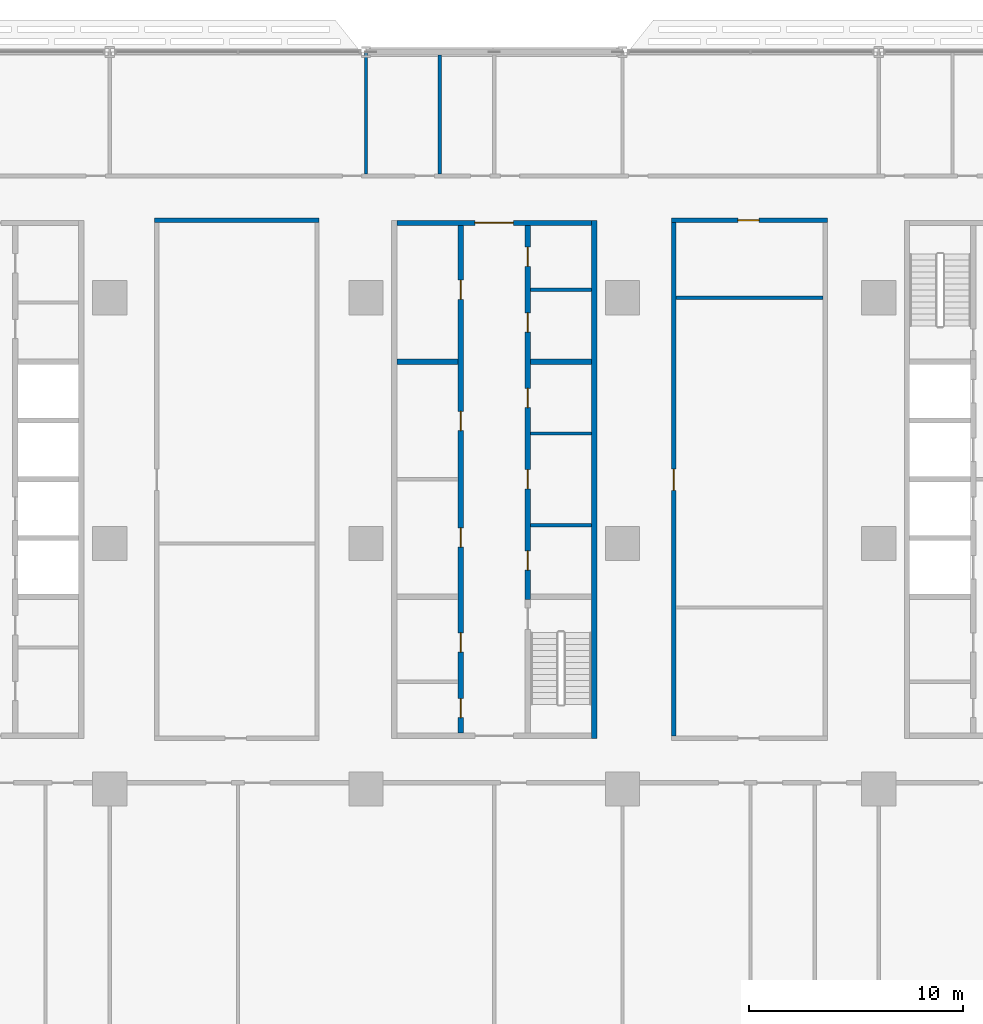
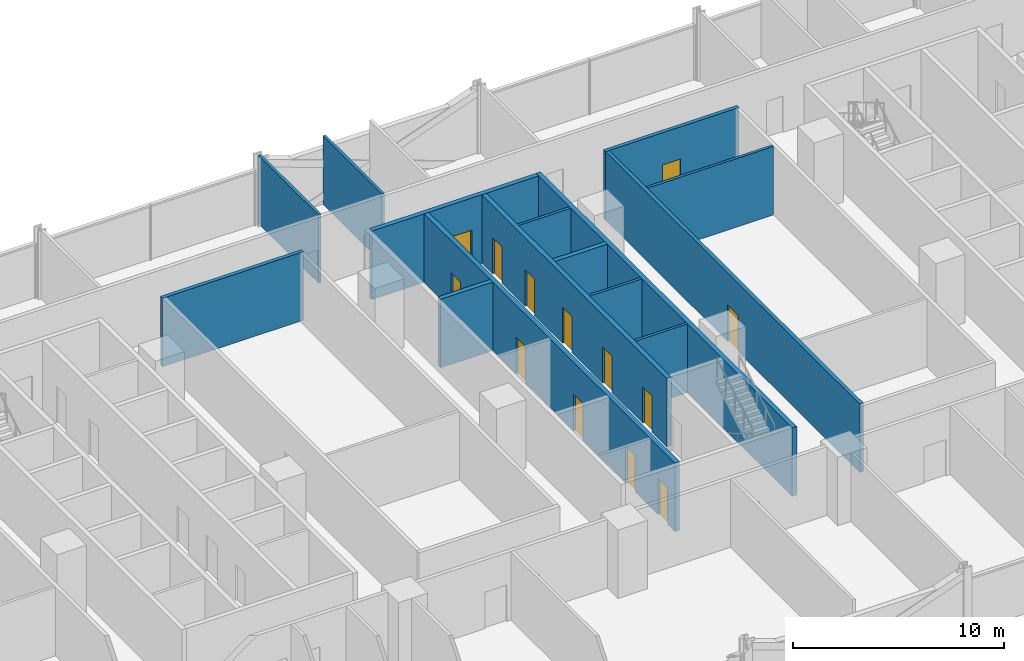
# One storey, part 11 of 26: 15 walls, 13 doors, 13 openings.
"""IFC4 building model written with IfcOpenShell, lengths in metres."""

from ifc_helpers import new_model, si_unit, direction, frame, frame_2d, origin, place, context, subcontext, project, spatial, rectangle, extrude, material, layer, layer_set, type_object, element, fill, save


model = new_model("IFC4")

# Units and contexts
model_context = context("Model", 3, precision=1e-05, world=origin(), true_north=direction((0.0, 1.0)))
body_context = subcontext(model_context, "Body", "Model", "MODEL_VIEW")
ifc_project = project(units=[si_unit("LENGTHUNIT", "METRE"), si_unit("AREAUNIT", "SQUARE_METRE"), si_unit("VOLUMEUNIT", "CUBIC_METRE"), si_unit("PLANEANGLEUNIT", "RADIAN"), si_unit("MASSUNIT", "GRAM", prefix="KILO")], contexts=[model_context])

# Site, building, storey
site_placement = place(None, origin())
site = spatial("IfcSite", under=ifc_project, at=site_placement, CompositionType="ELEMENT")
building_placement = place(site_placement, origin())
building = spatial("IfcBuilding", under=site, at=building_placement, Name="Mahtab Terrace Research Tower", CompositionType="ELEMENT")
storey_placement = place(building_placement, frame((0.0, 0.0, 15.800048828125)))
storey = spatial("IfcBuildingStorey", under=building, at=storey_placement, Name="L03", CompositionType="ELEMENT", Elevation=15.800048828125)

# Walls
ifc_material_1 = material(Name="Gypsum board partition")
ifc_layer_1 = layer(ifc_material_1, 0.14990234375)
ifc_layer_set_1 = layer_set([ifc_layer_1], Name="Core partition 150")
wall_type_1 = type_object("IfcWallType", Name="Core partition 150", PredefinedType="PARTITIONING", material=ifc_layer_set_1)
for number, where, z_axis, x_axis, name in (
    (1, (1.699951171875, 0.85009765625, 0.0), (0.0, 0.0, 1.0), (1.0, 0.0, 0.0), "Core wall B pEL-215"),
    (2, (1.699951171875, 5.14990234375, 0.0), (0.0, 0.0, 1.0), (1.0, 0.0, 0.0), "Core wall B pEL215"),
    (3, (1.699951171875, 11.875, 0.0), (0.0, 0.0, 1.0), (1.0, 0.0, 0.0), "Core wall B pEN888"),
):
    element("IfcWall", number, at=place(storey_placement, frame(where, z_axis=z_axis, x_axis=x_axis)), inside=storey, type_object=wall_type_1, Name=name, PredefinedType="PARTITIONING", context=body_context, shape_type="SweptSolid", body=[
        extrude(rectangle(XDim=2.85009765625, YDim=0.14990234375, at=frame_2d((1.425048828125, 0.0))), origin(), (0.0, 0.0, 1.0), 3.9599609375),
    ])
ifc_material_2 = material(Name="Concrete C70/85", Category="concrete")
ifc_layer_2 = layer(ifc_material_2, 0.25)
ifc_layer_set_2 = layer_set([ifc_layer_2], Name="Core wall 250")
wall_type_2 = type_object("IfcWallType", Name="Core wall 250", PredefinedType="SOLIDWALL", material=ifc_layer_set_2)
wall_1_placement = place(storey_placement, frame((4.675048828125, -9.125, 0.0), z_axis=(0.0, 0.0, 1.0), x_axis=(0.0, 1.0, 0.0)))
element("IfcWall", 4, at=wall_1_placement, inside=storey, type_object=wall_type_2, Name="Core wall B outerE", PredefinedType="SOLIDWALL", context=body_context, shape_type="SweptSolid", body=[
    extrude(rectangle(XDim=24.25, YDim=0.25, at=frame_2d((12.125, 0.0))), origin(), (0.0, 0.0, 1.0), 3.9599609375),
])

# Wall, opening, door
wall_2_placement = place(storey_placement, frame((-4.550048828125, 15.0, 0.0), z_axis=(0.0, 0.0, 1.0), x_axis=(1.0, 0.0, 0.0)))
wall_2 = element("IfcWall", 5, at=wall_2_placement, inside=storey, type_object=wall_type_2, Name="Core wall B endN", PredefinedType="SOLIDWALL", context=body_context, shape_type="SweptSolid", body=[
    extrude(rectangle(XDim=9.10009765625, YDim=0.25, at=frame_2d((4.550048828125, 0.0))), origin(), (0.0, 0.0, 1.0), 3.9599609375),
])
opening_1_placement = place(wall_2_placement, frame((3.64990234375, 0.0, 0.0)))
opening_1 = element("IfcOpeningElement", 6, at=opening_1_placement, cuts=wall_2, Name="Opening B-N1", PredefinedType="OPENING", context=body_context, shape_type="SweptSolid", body=[
    extrude(rectangle(XDim=1.800048828125, YDim=2.10009765625, at=frame_2d((0.89990234375, 1.050048828125))), frame((0.0, 0.135009765625, 0.0), z_axis=(0.0, -1.0, 0.0), x_axis=(1.0, 0.0, 0.0)), (0.0, 0.0, 1.0), 0.27001953125),
])
ifc_material_3 = material(Name="Steel fire door", Category="steel")
door_type_1 = type_object("IfcDoorType", Name="Lobby double door 1800x2100 1 HR", OperationType="DOUBLE_DOOR_SINGLE_SWING", PredefinedType="DOOR", material=ifc_material_3)
door_1_placement = place(opening_1_placement, origin())
door_1 = element("IfcDoor", 7, at=door_1_placement, inside=storey, type_object=door_type_1, Name="Core entrance door B N", OperationType="DOUBLE_DOOR_SINGLE_SWING", OverallHeight=2.10009765625, OverallWidth=1.800048828125, PredefinedType="DOOR", context=body_context, shape_type="SweptSolid", body=[
    extrude(rectangle(XDim=1.800048828125, YDim=2.10009765625, at=frame_2d((0.89990234375, 1.050048828125))), frame((0.0, 0.02490234375, 0.0), z_axis=(0.0, -1.0, 0.0), x_axis=(1.0, 0.0, 0.0)), (0.0, 0.0, 1.0), 0.050048828125),
])
fill(opening_1, door_1)

# Wall, openings, doors
wall_3_placement = place(storey_placement, frame((-1.574951171875, -8.875, 0.0), z_axis=(0.0, 0.0, 1.0), x_axis=(0.0, 1.0, 0.0)))
wall_3 = element("IfcWall", 8, at=wall_3_placement, inside=storey, type_object=wall_type_2, Name="Core wall B innerWSLN", PredefinedType="SOLIDWALL", context=body_context, shape_type="SweptSolid", body=[
    extrude(rectangle(XDim=23.75, YDim=0.25, at=frame_2d((11.875, 0.0))), origin(), (0.0, 0.0, 1.0), 3.9599609375),
])
opening_2_placement = place(wall_3_placement, frame((8.699951171875, 0.0, 0.0)))
opening_2 = element("IfcOpeningElement", 9, at=opening_2_placement, cuts=wall_3, Name="Opening B-R1", PredefinedType="OPENING", context=body_context, shape_type="SweptSolid", body=[
    extrude(rectangle(XDim=0.89990234375, YDim=2.10009765625, at=frame_2d((0.449951171875, 1.050048828125))), frame((0.0, 0.135009765625, 0.0), z_axis=(0.0, -1.0, 0.0), x_axis=(1.0, 0.0, 0.0)), (0.0, 0.0, 1.0), 0.27001953125),
])
opening_3_placement = place(wall_3_placement, frame((14.14990234375, 0.0, 0.0)))
opening_3 = element("IfcOpeningElement", 10, at=opening_3_placement, cuts=wall_3, Name="Opening B-R2", PredefinedType="OPENING", context=body_context, shape_type="SweptSolid", body=[
    extrude(rectangle(XDim=0.89990234375, YDim=2.10009765625, at=frame_2d((0.449951171875, 1.050048828125))), frame((0.0, 0.135009765625, 0.0), z_axis=(0.0, -1.0, 0.0), x_axis=(1.0, 0.0, 0.0)), (0.0, 0.0, 1.0), 0.27001953125),
])
opening_4_placement = place(wall_3_placement, frame((0.71240234375, 0.0, 0.0)))
opening_4 = element("IfcOpeningElement", 11, at=opening_4_placement, cuts=wall_3, Name="Opening B-R6", PredefinedType="OPENING", context=body_context, shape_type="SweptSolid", body=[
    extrude(rectangle(XDim=0.89990234375, YDim=2.10009765625, at=frame_2d((0.449951171875, 1.050048828125))), frame((0.0, 0.135009765625, 0.0), z_axis=(0.0, -1.0, 0.0), x_axis=(1.0, 0.0, 0.0)), (0.0, 0.0, 1.0), 0.27001953125),
])
opening_5_placement = place(wall_3_placement, frame((3.78759765625, 0.0, 0.0)))
opening_5 = element("IfcOpeningElement", 12, at=opening_5_placement, cuts=wall_3, Name="Opening B-R7", PredefinedType="OPENING", context=body_context, shape_type="SweptSolid", body=[
    extrude(rectangle(XDim=0.89990234375, YDim=2.10009765625, at=frame_2d((0.449951171875, 1.050048828125))), frame((0.0, 0.135009765625, 0.0), z_axis=(0.0, -1.0, 0.0), x_axis=(1.0, 0.0, 0.0)), (0.0, 0.0, 1.0), 0.27001953125),
])
opening_6_placement = place(wall_3_placement, frame((20.300048828125, 0.0, 0.0)))
opening_6 = element("IfcOpeningElement", 13, at=opening_6_placement, cuts=wall_3, Name="Opening B-R8", PredefinedType="OPENING", context=body_context, shape_type="SweptSolid", body=[
    extrude(rectangle(XDim=0.89990234375, YDim=2.10009765625, at=frame_2d((0.449951171875, 1.050048828125))), frame((0.0, 0.135009765625, 0.0), z_axis=(0.0, -1.0, 0.0), x_axis=(1.0, 0.0, 0.0)), (0.0, 0.0, 1.0), 0.27001953125),
])
door_type_2 = type_object("IfcDoorType", Name="Room door 900x2100 1 HR", OperationType="NOTDEFINED", PredefinedType="DOOR", material=ifc_material_3)
door_2_placement = place(opening_2_placement, origin())
door_2 = element("IfcDoor", 14, at=door_2_placement, inside=storey, type_object=door_type_2, Name="Document store door", OperationType="SINGLE_SWING_LEFT", OverallHeight=2.10009765625, OverallWidth=0.89990234375, PredefinedType="DOOR", context=body_context, shape_type="SweptSolid", body=[
    extrude(rectangle(XDim=0.89990234375, YDim=2.10009765625, at=frame_2d((0.449951171875, 1.050048828125))), frame((0.0, 0.02490234375, 0.0), z_axis=(0.0, -1.0, 0.0), x_axis=(1.0, 0.0, 0.0)), (0.0, 0.0, 1.0), 0.050048828125),
])
fill(opening_2, door_2)
door_3_placement = place(opening_3_placement, origin())
door_3 = element("IfcDoor", 15, at=door_3_placement, inside=storey, type_object=door_type_2, Name="IT equipment room door", OperationType="SINGLE_SWING_RIGHT", OverallHeight=2.10009765625, OverallWidth=0.89990234375, PredefinedType="DOOR", context=body_context, shape_type="SweptSolid", body=[
    extrude(rectangle(XDim=0.89990234375, YDim=2.10009765625, at=frame_2d((0.449951171875, 1.050048828125))), frame((0.0, 0.02490234375, 0.0), z_axis=(0.0, -1.0, 0.0), x_axis=(1.0, 0.0, 0.0)), (0.0, 0.0, 1.0), 0.050048828125),
])
fill(opening_3, door_3)
door_4_placement = place(opening_4_placement, origin())
door_4 = element("IfcDoor", 16, at=door_4_placement, inside=storey, type_object=door_type_2, Name="Mechanical riser room door", OperationType="SINGLE_SWING_RIGHT", OverallHeight=2.10009765625, OverallWidth=0.89990234375, PredefinedType="DOOR", context=body_context, shape_type="SweptSolid", body=[
    extrude(rectangle(XDim=0.89990234375, YDim=2.10009765625, at=frame_2d((0.449951171875, 1.050048828125))), frame((0.0, 0.02490234375, 0.0), z_axis=(0.0, -1.0, 0.0), x_axis=(1.0, 0.0, 0.0)), (0.0, 0.0, 1.0), 0.050048828125),
])
fill(opening_4, door_4)
door_5_placement = place(opening_5_placement, origin())
door_5 = element("IfcDoor", 17, at=door_5_placement, inside=storey, type_object=door_type_2, Name="Chemical store door", OperationType="SINGLE_SWING_LEFT", OverallHeight=2.10009765625, OverallWidth=0.89990234375, PredefinedType="DOOR", context=body_context, shape_type="SweptSolid", body=[
    extrude(rectangle(XDim=0.89990234375, YDim=2.10009765625, at=frame_2d((0.449951171875, 1.050048828125))), frame((0.0, 0.02490234375, 0.0), z_axis=(0.0, -1.0, 0.0), x_axis=(1.0, 0.0, 0.0)), (0.0, 0.0, 1.0), 0.050048828125),
])
fill(opening_5, door_5)
door_6_placement = place(opening_6_placement, origin())
door_6 = element("IfcDoor", 18, at=door_6_placement, inside=storey, type_object=door_type_2, Name="Gas cylinder store door", OperationType="SINGLE_SWING_RIGHT", OverallHeight=2.10009765625, OverallWidth=0.89990234375, PredefinedType="DOOR", context=body_context, shape_type="SweptSolid", body=[
    extrude(rectangle(XDim=0.89990234375, YDim=2.10009765625, at=frame_2d((0.449951171875, 1.050048828125))), frame((0.0, 0.02490234375, 0.0), z_axis=(0.0, -1.0, 0.0), x_axis=(1.0, 0.0, 0.0)), (0.0, 0.0, 1.0), 0.050048828125),
])
fill(opening_6, door_6)

wall_4_placement = place(storey_placement, frame((1.574951171875, 14.875, 0.0), z_axis=(0.0, 0.0, 1.0), x_axis=(0.0, -1.0, 0.0)))
wall_4 = element("IfcWall", 19, at=wall_4_placement, inside=storey, type_object=wall_type_2, Name="Core wall B innerELN", PredefinedType="SOLIDWALL", context=body_context, shape_type="SweptSolid", body=[
    extrude(rectangle(XDim=17.5, YDim=0.25, at=frame_2d((8.75, 0.0))), origin(), (0.0, 0.0, 1.0), 3.9599609375),
])
opening_7_placement = place(wall_4_placement, frame((15.22509765625, 0.0, 0.0)))
opening_7 = element("IfcOpeningElement", 20, at=opening_7_placement, cuts=wall_4, Name="Opening B-R3", PredefinedType="OPENING", context=body_context, shape_type="SweptSolid", body=[
    extrude(rectangle(XDim=0.89990234375, YDim=2.10009765625, at=frame_2d((0.449951171875, 1.050048828125))), frame((0.0, 0.135009765625, 0.0), z_axis=(0.0, -1.0, 0.0), x_axis=(1.0, 0.0, 0.0)), (0.0, 0.0, 1.0), 0.27001953125),
])
opening_8_placement = place(wall_4_placement, frame((11.425048828125, 0.0, 0.0)))
opening_8 = element("IfcOpeningElement", 21, at=opening_8_placement, cuts=wall_4, Name="Opening B-R4", PredefinedType="OPENING", context=body_context, shape_type="SweptSolid", body=[
    extrude(rectangle(XDim=0.89990234375, YDim=2.10009765625, at=frame_2d((0.449951171875, 1.050048828125))), frame((0.0, 0.135009765625, 0.0), z_axis=(0.0, -1.0, 0.0), x_axis=(1.0, 0.0, 0.0)), (0.0, 0.0, 1.0), 0.27001953125),
])
opening_9_placement = place(wall_4_placement, frame((7.625, 0.0, 0.0)))
opening_9 = element("IfcOpeningElement", 22, at=opening_9_placement, cuts=wall_4, Name="Opening B-R5", PredefinedType="OPENING", context=body_context, shape_type="SweptSolid", body=[
    extrude(rectangle(XDim=0.89990234375, YDim=2.10009765625, at=frame_2d((0.449951171875, 1.050048828125))), frame((0.0, 0.135009765625, 0.0), z_axis=(0.0, -1.0, 0.0), x_axis=(1.0, 0.0, 0.0)), (0.0, 0.0, 1.0), 0.27001953125),
])
opening_10_placement = place(wall_4_placement, frame((4.08740234375, 0.0, 0.0)))
opening_10 = element("IfcOpeningElement", 23, at=opening_10_placement, cuts=wall_4, Name="Opening B-R9", PredefinedType="OPENING", context=body_context, shape_type="SweptSolid", body=[
    extrude(rectangle(XDim=0.89990234375, YDim=2.10009765625, at=frame_2d((0.449951171875, 1.050048828125))), frame((0.0, 0.135009765625, 0.0), z_axis=(0.0, -1.0, 0.0), x_axis=(1.0, 0.0, 0.0)), (0.0, 0.0, 1.0), 0.27001953125),
])
opening_11_placement = place(wall_4_placement, frame((1.012451171875, 0.0, 0.0)))
opening_11 = element("IfcOpeningElement", 24, at=opening_11_placement, cuts=wall_4, Name="Opening B-R10", PredefinedType="OPENING", context=body_context, shape_type="SweptSolid", body=[
    extrude(rectangle(XDim=0.89990234375, YDim=2.10009765625, at=frame_2d((0.449951171875, 1.050048828125))), frame((0.0, 0.135009765625, 0.0), z_axis=(0.0, -1.0, 0.0), x_axis=(1.0, 0.0, 0.0)), (0.0, 0.0, 1.0), 0.27001953125),
])
door_7_placement = place(opening_7_placement, origin())
door_7 = element("IfcDoor", 25, at=door_7_placement, inside=storey, type_object=door_type_2, Name="Electrical room door", OperationType="SINGLE_SWING_LEFT", OverallHeight=2.10009765625, OverallWidth=0.89990234375, PredefinedType="DOOR", context=body_context, shape_type="SweptSolid", body=[
    extrude(rectangle(XDim=0.89990234375, YDim=2.10009765625, at=frame_2d((0.449951171875, 1.050048828125))), frame((0.0, 0.02490234375, 0.0), z_axis=(0.0, -1.0, 0.0), x_axis=(1.0, 0.0, 0.0)), (0.0, 0.0, 1.0), 0.050048828125),
])
fill(opening_7, door_7)
door_8_placement = place(opening_8_placement, origin())
door_8 = element("IfcDoor", 26, at=door_8_placement, inside=storey, type_object=door_type_2, Name="Pantry door", OperationType="SINGLE_SWING_RIGHT", OverallHeight=2.10009765625, OverallWidth=0.89990234375, PredefinedType="DOOR", context=body_context, shape_type="SweptSolid", body=[
    extrude(rectangle(XDim=0.89990234375, YDim=2.10009765625, at=frame_2d((0.449951171875, 1.050048828125))), frame((0.0, 0.02490234375, 0.0), z_axis=(0.0, -1.0, 0.0), x_axis=(1.0, 0.0, 0.0)), (0.0, 0.0, 1.0), 0.050048828125),
])
fill(opening_8, door_8)
door_9_placement = place(opening_9_placement, origin())
door_9 = element("IfcDoor", 27, at=door_9_placement, inside=storey, type_object=door_type_2, Name="Housekeeping store door", OperationType="SINGLE_SWING_LEFT", OverallHeight=2.10009765625, OverallWidth=0.89990234375, PredefinedType="DOOR", context=body_context, shape_type="SweptSolid", body=[
    extrude(rectangle(XDim=0.89990234375, YDim=2.10009765625, at=frame_2d((0.449951171875, 1.050048828125))), frame((0.0, 0.02490234375, 0.0), z_axis=(0.0, -1.0, 0.0), x_axis=(1.0, 0.0, 0.0)), (0.0, 0.0, 1.0), 0.050048828125),
])
fill(opening_9, door_9)
door_10_placement = place(opening_10_placement, origin())
door_10 = element("IfcDoor", 28, at=door_10_placement, inside=storey, type_object=door_type_2, Name="Staff WC door", OperationType="SINGLE_SWING_LEFT", OverallHeight=2.10009765625, OverallWidth=0.89990234375, PredefinedType="DOOR", context=body_context, shape_type="SweptSolid", body=[
    extrude(rectangle(XDim=0.89990234375, YDim=2.10009765625, at=frame_2d((0.449951171875, 1.050048828125))), frame((0.0, 0.02490234375, 0.0), z_axis=(0.0, -1.0, 0.0), x_axis=(1.0, 0.0, 0.0)), (0.0, 0.0, 1.0), 0.050048828125),
])
fill(opening_10, door_10)
door_11_placement = place(opening_11_placement, origin())
door_11 = element("IfcDoor", 29, at=door_11_placement, inside=storey, type_object=door_type_2, Name="Accessible WC door", OperationType="SINGLE_SWING_RIGHT", OverallHeight=2.10009765625, OverallWidth=0.89990234375, PredefinedType="DOOR", context=body_context, shape_type="SweptSolid", body=[
    extrude(rectangle(XDim=0.89990234375, YDim=2.10009765625, at=frame_2d((0.449951171875, 1.050048828125))), frame((0.0, 0.02490234375, 0.0), z_axis=(0.0, -1.0, 0.0), x_axis=(1.0, 0.0, 0.0)), (0.0, 0.0, 1.0), 0.050048828125),
])
fill(opening_11, door_11)

# Walls
for number, where, z_axis, x_axis, name in (
    (30, (-4.550048828125, 8.5, 0.0), (0.0, 0.0, 1.0), (1.0, 0.0, 0.0), "Core wall B divW4"),
    (31, (1.699951171875, 8.5, 0.0), (0.0, 0.0, 1.0), (1.0, 0.0, 0.0), "Core wall B divE4"),
):
    element("IfcWall", number, at=place(storey_placement, frame(where, z_axis=z_axis, x_axis=x_axis)), inside=storey, type_object=wall_type_2, Name=name, PredefinedType="SOLIDWALL", context=body_context, shape_type="SweptSolid", body=[
        extrude(rectangle(XDim=2.85009765625, YDim=0.25, at=frame_2d((1.425048828125, 0.0))), origin(), (0.0, 0.0, 1.0), 3.9599609375),
    ])
ifc_material_4 = material(Name="Gypsum board corridor wall on steel studs", Category="steel")
ifc_layer_3 = layer(ifc_material_4, 0.199951171875)
ifc_layer_set_3 = layer_set([ifc_layer_3], Name="WALL CORRIDOR 200")
wall_type_3 = type_object("IfcWallType", Name="WALL CORRIDOR 200", PredefinedType="PARTITIONING", material=ifc_layer_set_3)
wall_5_placement = place(storey_placement, frame((-15.89990234375, 15.125, 0.0), z_axis=(0.0, 0.0, 1.0), x_axis=(1.0, 0.0, 0.0)))
element("IfcWall", 32, at=wall_5_placement, inside=storey, type_object=wall_type_3, Name="L03-W023", PredefinedType="PARTITIONING", context=body_context, shape_type="SweptSolid", body=[
    extrude(rectangle(XDim=7.699951171875, YDim=0.199951171875, at=frame_2d((3.85009765625, 0.0))), origin(), (0.0, 0.0, 1.0), 3.9599609375),
])

# Wall, opening, door
wall_6_placement = place(storey_placement, frame((8.300048828125, 15.125, 0.0), z_axis=(0.0, 0.0, 1.0), x_axis=(1.0, 0.0, 0.0)))
wall_6 = element("IfcWall", 33, at=wall_6_placement, inside=storey, type_object=wall_type_3, Name="L03-W024", PredefinedType="PARTITIONING", context=body_context, shape_type="SweptSolid", body=[
    extrude(rectangle(XDim=7.300048828125, YDim=0.199951171875, at=frame_2d((3.64990234375, 0.0))), origin(), (0.0, 0.0, 1.0), 3.9599609375),
])
opening_12_placement = place(wall_6_placement, frame((3.10009765625, 0.0, 0.0)))
opening_12 = element("IfcOpeningElement", 34, at=opening_12_placement, cuts=wall_6, Name="Opening L03-130", PredefinedType="OPENING", context=body_context, shape_type="SweptSolid", body=[
    extrude(rectangle(XDim=1.0, YDim=2.10009765625, at=frame_2d((0.5, 1.050048828125))), frame((0.0, 0.10986328125, 0.0), z_axis=(0.0, -1.0, 0.0), x_axis=(1.0, 0.0, 0.0)), (0.0, 0.0, 1.0), 0.219970703125),
])
ifc_material_5 = material(Name="Timber door leaf in steel frame", Category="steel")
door_type_3 = type_object("IfcDoorType", Name="DOOR 1000X2100 FD30S", OperationType="SINGLE_SWING_LEFT", PredefinedType="DOOR", material=ifc_material_5)
door_12_placement = place(opening_12_placement, origin())
door_12 = element("IfcDoor", 35, at=door_12_placement, inside=storey, type_object=door_type_3, Name="Door L03-130", OperationType="SINGLE_SWING_RIGHT", OverallHeight=2.10009765625, OverallWidth=1.0, PredefinedType="DOOR", context=body_context, shape_type="SweptSolid", body=[
    extrude(rectangle(XDim=1.0, YDim=2.10009765625, at=frame_2d((0.5, 1.050048828125))), frame((0.0, 0.02490234375, 0.0), z_axis=(0.0, -1.0, 0.0), x_axis=(1.0, 0.0, 0.0)), (0.0, 0.0, 1.0), 0.050048828125),
])
fill(opening_12, door_12)

wall_7_placement = place(storey_placement, frame((8.39990234375, -9.02490234375, 0.0), z_axis=(0.0, 0.0, 1.0), x_axis=(0.0, 1.0, 0.0)))
wall_7 = element("IfcWall", 36, at=wall_7_placement, inside=storey, type_object=wall_type_3, Name="L03-W049", PredefinedType="PARTITIONING", context=body_context, shape_type="SweptSolid", body=[
    extrude(rectangle(XDim=24.0498046875, YDim=0.199951171875, at=frame_2d((12.02490234375, 0.0))), origin(), (0.0, 0.0, 1.0), 3.9599609375),
])
opening_13_placement = place(wall_7_placement, frame((11.5, 0.0, 0.0)))
opening_13 = element("IfcOpeningElement", 37, at=opening_13_placement, cuts=wall_7, Name="Opening L03-124", PredefinedType="OPENING", context=body_context, shape_type="SweptSolid", body=[
    extrude(rectangle(XDim=1.0, YDim=2.10009765625, at=frame_2d((0.5, 1.050048828125))), frame((0.0, 0.10986328125, 0.0), z_axis=(0.0, -1.0, 0.0), x_axis=(1.0, 0.0, 0.0)), (0.0, 0.0, 1.0), 0.219970703125),
])
door_13_placement = place(opening_13_placement, origin())
door_13 = element("IfcDoor", 38, at=door_13_placement, inside=storey, type_object=door_type_3, Name="Door L03-124", OperationType="SINGLE_SWING_RIGHT", OverallHeight=2.10009765625, OverallWidth=1.0, PredefinedType="DOOR", context=body_context, shape_type="SweptSolid", body=[
    extrude(rectangle(XDim=1.0, YDim=2.10009765625, at=frame_2d((0.5, 1.050048828125))), frame((0.0, 0.02490234375, 0.0), z_axis=(0.0, -1.0, 0.0), x_axis=(1.0, 0.0, 0.0)), (0.0, 0.0, 1.0), 0.050048828125),
])
fill(opening_13, door_13)

# Walls
ifc_material_6 = material(Name="Gypsum board partition on steel studs", Category="steel")
ifc_layer_4 = layer(ifc_material_6, 0.14990234375)
ifc_layer_set_4 = layer_set([ifc_layer_4], Name="WALL PARTITION 150")
wall_type_4 = type_object("IfcWallType", Name="WALL PARTITION 150", PredefinedType="PARTITIONING", material=ifc_layer_set_4)
wall_8_placement = place(storey_placement, frame((8.5, 11.5, 0.0), z_axis=(0.0, 0.0, 1.0), x_axis=(1.0, 0.0, 0.0)))
element("IfcWall", 39, at=wall_8_placement, inside=storey, type_object=wall_type_4, Name="L03-W021", PredefinedType="PARTITIONING", context=body_context, shape_type="SweptSolid", body=[
    extrude(rectangle(XDim=6.89990234375, YDim=0.14990234375, at=frame_2d((3.449951171875, 0.0))), origin(), (0.0, 0.0, 1.0), 3.9599609375),
])
wall_9_placement = place(storey_placement, frame((-6.0, 17.300048828125, 0.0), z_axis=(0.0, 0.0, 1.0), x_axis=(0.0, 1.0, 0.0)))
element("IfcWall", 40, at=wall_9_placement, inside=storey, type_object=wall_type_4, Name="L03-W043", PredefinedType="PARTITIONING", context=body_context, shape_type="SweptSolid", body=[
    extrude(rectangle(XDim=5.675048828125, YDim=0.14990234375, at=frame_2d((2.83740234375, 0.0))), origin(), (0.0, 0.0, 1.0), 3.9599609375),
])
wall_10_placement = place(storey_placement, frame((-2.550048828125, 17.300048828125, 0.0), z_axis=(0.0, 0.0, 1.0), x_axis=(0.0, 1.0, 0.0)))
element("IfcWall", 41, at=wall_10_placement, inside=storey, type_object=wall_type_4, Name="L03-W044", PredefinedType="PARTITIONING", context=body_context, shape_type="SweptSolid", body=[
    extrude(rectangle(XDim=5.550048828125, YDim=0.14990234375, at=frame_2d((2.77490234375, 0.0))), origin(), (0.0, 0.0, 1.0), 3.9599609375),
])

save(model, "model.ifc")
